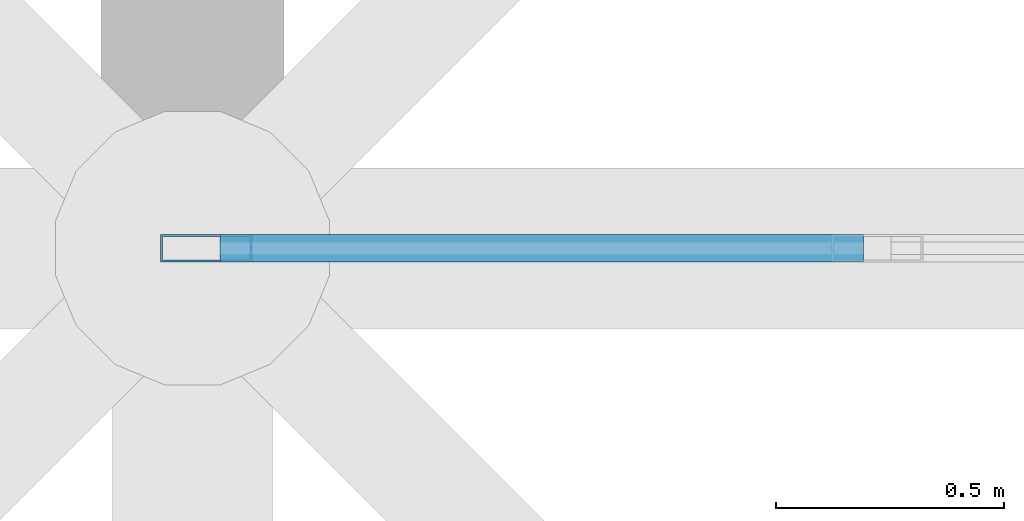
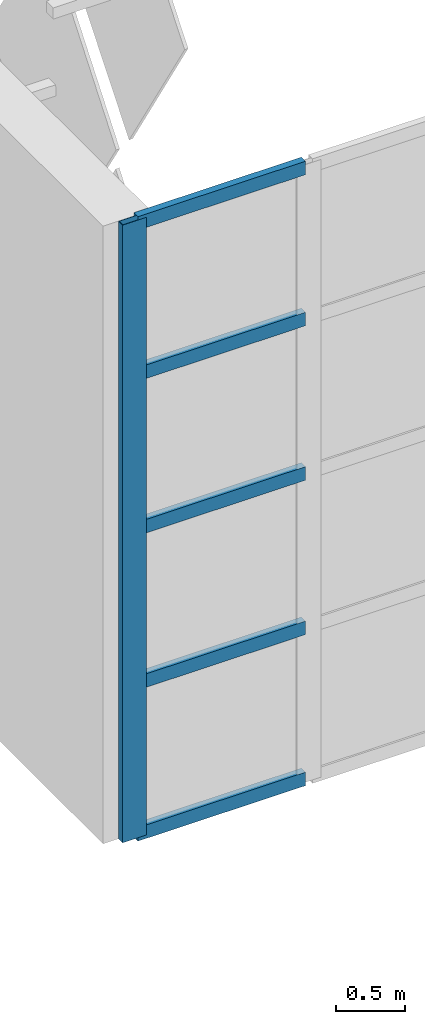
# One storey, part 153 of 437: 6 members, 1 element without a shape of its own.
"""IFC4 building model written with IfcOpenShell, lengths in metres."""

import ifcopenshell
import ifcopenshell.guid

model = None  # the IFC model being written
_history = None  # IfcOwnerHistory: only IFC2X3 demands one
_inside = {}  # id of a spatial element -> (the spatial element, [elements in it])
_under = {}  # id of a project, library or spatial element -> (it, [spatial elements below it])
_declared = {}  # id of a project -> (the project, [libraries it declares])
_typed = {}  # id of a type object -> (the type object, [elements of that type])
_made_of = {}  # id of a material, layer set ... -> (it, [elements and type objects made of it])


def new_model(schema):
    """Start an empty IFC model of exactly this schema.

    Asked for "IFC4X3", IfcOpenShell would pick the latest addendum, in which some entities
    have other attributes; the version numbers below select the first issue.
    IFC2X3 requires an IfcOwnerHistory on every rooted entity: one is made here for all.
    """
    global model, _history
    if schema == "IFC4X3":
        model = ifcopenshell.file(schema_version=(4, 3, 0, 0))
    else:
        model = ifcopenshell.file(schema=schema)
    _inside.clear()
    _under.clear()
    _declared.clear()
    _typed.clear()
    _made_of.clear()
    _history = None
    if model.schema == "IFC2X3":
        org = make("IfcOrganization", Name="unknown")
        user = make(
            "IfcPersonAndOrganization",
            ThePerson=make("IfcPerson", FamilyName="unknown"),
            TheOrganization=org,
        )
        app = make(
            "IfcApplication",
            ApplicationDeveloper=org,
            Version="unknown",
            ApplicationFullName="unknown",
            ApplicationIdentifier="unknown",
        )
        _history = make(
            "IfcOwnerHistory",
            OwningUser=user,
            OwningApplication=app,
            ChangeAction="ADDED",
            CreationDate=0,
        )
    return model


def make(cls, **values):
    """One entity of the class cls with the attributes given. An attribute that is None is left unset."""
    return model.create_entity(
        cls, **{name: value for name, value in values.items() if value is not None}
    )


def rooted(cls, **values):
    """An entity with a GlobalId (a new one), such as an element, a storey or a relation."""
    return make(cls, GlobalId=ifcopenshell.guid.new(), OwnerHistory=_history, **values)


def si_unit(unit_type, name, prefix=None):
    """IfcSIUnit, for example si_unit("LENGTHUNIT", "METRE", prefix="MILLI")."""
    return make("IfcSIUnit", UnitType=unit_type, Prefix=prefix, Name=name)


def assignment(units):
    """IfcUnitAssignment: the units of a project."""
    return None if units is None else make("IfcUnitAssignment", Units=units)


def point(xyz):
    """IfcCartesianPoint."""
    return None if xyz is None else make("IfcCartesianPoint", Coordinates=xyz)


def direction(xyz):
    """IfcDirection."""
    return None if xyz is None else make("IfcDirection", DirectionRatios=xyz)


def frame(location, z_axis=None, x_axis=None):
    """IfcAxis2Placement3D, a coordinate frame: its origin and axes. An axis left out is left unset."""
    return make(
        "IfcAxis2Placement3D",
        Location=point(location),
        Axis=direction(z_axis),
        RefDirection=direction(x_axis),
    )


def frame_2d(location, x_axis=None):
    """IfcAxis2Placement2D, a coordinate frame in the plane: its origin and x axis."""
    return make(
        "IfcAxis2Placement2D", Location=point(location), RefDirection=direction(x_axis)
    )


def origin():
    """The frame at (0, 0, 0) with its axes left unset."""
    return frame((0.0, 0.0, 0.0))


def origin_2d():
    """The frame at (0, 0) in the plane with its x axis left unset."""
    return frame_2d((0.0, 0.0))


def place(relative_to, where):
    """IfcLocalPlacement: puts the frame where relative to a parent placement (None: the world)."""
    return make(
        "IfcLocalPlacement", PlacementRelTo=relative_to, RelativePlacement=where
    )


def context(
    kind, dimensions, precision=None, world=None, true_north=None, identifier=None
):
    """IfcGeometricRepresentationContext, for example the 3D "Model" context."""
    return make(
        "IfcGeometricRepresentationContext",
        ContextIdentifier=identifier,
        ContextType=kind,
        CoordinateSpaceDimension=dimensions,
        Precision=precision,
        WorldCoordinateSystem=world,
        TrueNorth=true_north,
    )


def subcontext(parent, identifier, kind, view, scale=None):
    """IfcGeometricRepresentationSubContext, for example "Body" below "Model"."""
    return make(
        "IfcGeometricRepresentationSubContext",
        ContextIdentifier=identifier,
        ContextType=kind,
        ParentContext=parent,
        TargetScale=scale,
        TargetView=view,
    )


def project(units=None, contexts=None):
    """IfcProject with its units and contexts."""
    return rooted(
        "IfcProject",
        Name="project",
        RepresentationContexts=contexts,
        UnitsInContext=assignment(units),
    )


def spatial(cls, under=None, at=None, **own):
    """A site, building, storey or space (cls), placed at a placement, below another one or the project."""
    s = rooted(cls, ObjectPlacement=at, **own)
    if under is not None:
        _under.setdefault(under.id(), (under, []))[1].append(s)
    return s


def profile(cls, at=None, kind="AREA", **sizes):
    """A parametric profile (cls). Its sizes go by their IFC names, for example OverallWidth=200.0."""
    return make(cls, ProfileType=kind, Position=at, **sizes)


def hollow_rectangle(**sizes):
    """IfcRectangleHollowProfileDef."""
    return profile("IfcRectangleHollowProfileDef", **sizes)


def extrude(swept, where, along, depth):
    """IfcExtrudedAreaSolid: the profile swept, set in the frame where, extruded along a direction by depth."""
    return make(
        "IfcExtrudedAreaSolid",
        SweptArea=swept,
        Position=where,
        ExtrudedDirection=direction(along),
        Depth=depth,
    )


def shape(context_of_items, identifier, shape_type, items):
    """IfcShapeRepresentation: the items that make up one representation, for example the "Body"."""
    return make(
        "IfcShapeRepresentation",
        ContextOfItems=context_of_items,
        RepresentationIdentifier=identifier,
        RepresentationType=shape_type,
        Items=items,
    )


def material(Name=None, Category=None):
    """IfcMaterial."""
    return make("IfcMaterial", Name=Name, Category=Category)


def layer(
    of_material, thickness, ventilated=None, Name=None, Category=None, Priority=None
):
    """IfcMaterialLayer: one layer of a wall or slab, of a material (None: an air gap)."""
    return make(
        "IfcMaterialLayer",
        Material=of_material,
        LayerThickness=thickness,
        IsVentilated=ventilated,
        Name=Name,
        Category=Category,
        Priority=Priority,
    )


def layer_set(layers, Name=None):
    """IfcMaterialLayerSet."""
    return make("IfcMaterialLayerSet", MaterialLayers=layers, LayerSetName=Name)


def material_profile(
    of_material, cross_section, Name=None, Category=None, Priority=None
):
    """IfcMaterialProfile: a cross section and its material."""
    return make(
        "IfcMaterialProfile",
        Name=Name,
        Material=of_material,
        Profile=cross_section,
        Priority=Priority,
        Category=Category,
    )


def profile_set(profiles, Name=None, composite=None):
    """IfcMaterialProfileSet."""
    return make(
        "IfcMaterialProfileSet",
        Name=Name,
        MaterialProfiles=profiles,
        CompositeProfile=composite,
    )


def made_of(thing, what):
    """Note that an element or type object is made of a material, layer set ...; save() writes the relation."""
    if what is not None:
        _made_of.setdefault(what.id(), (what, []))[1].append(thing)
    return thing


def type_object(cls, material=None, **own):
    """A type object (cls), such as IfcWallType, which elements share."""
    return made_of(rooted(cls, **own), material)


def element(
    cls,
    number,
    at=None,
    inside=None,
    cuts=None,
    type_object=None,
    material=None,
    context=None,
    identifier="Body",
    shape_type=None,
    held_by="IfcProductDefinitionShape",
    body=None,
    shapes=None,
    **own,
):
    """One element of the class cls, such as IfcWall. Its Tag is "e" and its number.

    at: its placement. inside: the storey or other place that contains it. cuts: it is an
    opening in that element (IfcRelVoidsElement). A single representation is given by context,
    identifier, shape_type and body (its items); several are given by shapes. held_by: the class
    of the entity that holds the representations. save() writes the other relations.
    """
    e = rooted(cls, Tag="e%d" % number, ObjectPlacement=at, **own)
    if body is not None:
        shapes = [shape(context, identifier, shape_type, body)]
    if shapes is not None:
        e.Representation = make(held_by, Representations=shapes)
    if inside is not None:
        _inside.setdefault(inside.id(), (inside, []))[1].append(e)
    if cuts is not None:
        rooted(
            "IfcRelVoidsElement", RelatingBuildingElement=cuts, RelatedOpeningElement=e
        )
    if type_object is not None:
        _typed.setdefault(type_object.id(), (type_object, []))[1].append(e)
    return made_of(e, material)


def aggregate(whole, parts):
    """IfcRelAggregates: a whole, such as a stair, and the parts it consists of."""
    return rooted("IfcRelAggregates", RelatingObject=whole, RelatedObjects=parts)


def save(model, path):
    """Write the relations noted so far, then the file.

    IfcRelAggregates (storeys below a building ...), IfcRelContainedInSpatialStructure (elements
    in a storey), IfcRelDefinesByType, IfcRelAssociatesMaterial and IfcRelDeclares: one each for
    every whole, place, type object, material and project.
    """
    for whole, parts in _under.values():
        aggregate(whole, parts)
    for where, things in _inside.values():
        rooted(
            "IfcRelContainedInSpatialStructure",
            RelatedElements=things,
            RelatingStructure=where,
        )
    for kind, things in _typed.values():
        rooted("IfcRelDefinesByType", RelatedObjects=things, RelatingType=kind)
    for what, things in _made_of.values():
        rooted("IfcRelAssociatesMaterial", RelatedObjects=things, RelatingMaterial=what)
    for by, libraries in _declared.values():
        rooted("IfcRelDeclares", RelatingContext=by, RelatedDefinitions=libraries)
    model.write(path)


model = new_model("IFC4")

# Units and contexts
model_context = context("Model", 3, precision=1e-05, world=origin(), true_north=direction((0.0, 1.0)))
body_context = subcontext(model_context, "Body", "Model", "MODEL_VIEW")
ifc_project = project(units=[si_unit("LENGTHUNIT", "METRE"), si_unit("AREAUNIT", "SQUARE_METRE"), si_unit("VOLUMEUNIT", "CUBIC_METRE"), si_unit("PLANEANGLEUNIT", "RADIAN"), si_unit("MASSUNIT", "GRAM", prefix="KILO")], contexts=[model_context])

# Site, building, storey
site_placement = place(None, origin())
site = spatial("IfcSite", under=ifc_project, at=site_placement, CompositionType="ELEMENT")
building_placement = place(site_placement, origin())
building = spatial("IfcBuilding", under=site, at=building_placement, Name="Opaline Strait Convention Centre", CompositionType="ELEMENT")
storey_placement = place(building_placement, frame((0.0, 0.0, 11.5)))
storey = spatial("IfcBuildingStorey", under=building, at=storey_placement, Name="L02", CompositionType="ELEMENT", Elevation=11.5)

# Curtain wall, members
ifc_material_1 = material(Name="Aluminium framed glazing", Category="aluminium")
ifc_layer = layer(ifc_material_1, 0.199951171875)
ifc_layer_set = layer_set([ifc_layer], Name="Aluminium framed glazing")
curtain_wall_type = type_object("IfcCurtainWallType", Name="Entrance curtain wall 1500", PredefinedType="NOTDEFINED", material=ifc_layer_set)
curtain_wall_placement = place(storey_placement, origin())
curtain_wall = element("IfcCurtainWall", 1, at=curtain_wall_placement, inside=storey, type_object=curtain_wall_type, Name="Entrance curtain wall L02-R1", PredefinedType="NOTDEFINED")
ifc_material_2 = material(Name="Aluminium alloy 6063", Category="aluminium")
ifc_material_profile_1 = material_profile(ifc_material_2, hollow_rectangle(XDim=0.06005859375, YDim=0.199951171875, WallThickness=0.00390625, at=origin_2d()), Name="MULLION 60x200x4")
ifc_profile_set_1 = profile_set([ifc_material_profile_1], Name="Aluminium alloy 6063")
member_type_1 = type_object("IfcMemberType", Name="Curtain wall mullion 60 x 200", PredefinedType="MULLION", material=ifc_profile_set_1)
member_1_placement = place(storey_placement, frame((153.030029296875, 144.0, 0.0), z_axis=(0.0, 0.0, 1.0), x_axis=(0.0, 1.0, 0.0)))
member_1 = element("IfcMember", 2, at=member_1_placement, type_object=member_type_1, Name="XCW mullion 1", PredefinedType="MULLION", context=body_context, shape_type="SweptSolid", body=[
    extrude(hollow_rectangle(XDim=0.06005859375, YDim=0.199951171875, WallThickness=0.00390625, at=origin_2d()), origin(), (0.0, 0.0, 1.0), 5.5),
])
ifc_material_profile_2 = material_profile(ifc_material_2, hollow_rectangle(XDim=0.06005859375, YDim=0.1201171875, WallThickness=0.0029296875, at=origin_2d()), Name="TRANSOM 60x120x3")
ifc_profile_set_2 = profile_set([ifc_material_profile_2], Name="Aluminium alloy 6063")
member_type_2 = type_object("IfcMemberType", Name="Curtain wall transom 60 x 120", PredefinedType="USERDEFINED", material=ifc_profile_set_2)
member_2_placement = place(storey_placement, frame((153.06005859375, 144.0, 0.030029296875), z_axis=(1.0, 0.0, 0.0), x_axis=(0.0, 1.0, 0.0)))
member_2 = element("IfcMember", 3, at=member_2_placement, type_object=member_type_2, Name="XCW transom 1.1", ObjectType="TRANSOM", PredefinedType="USERDEFINED", context=body_context, shape_type="SweptSolid", body=[
    extrude(hollow_rectangle(XDim=0.06005859375, YDim=0.1201171875, WallThickness=0.0029296875, at=origin_2d()), origin(), (0.0, 0.0, 1.0), 1.409912109375),
])
member_3_placement = place(storey_placement, frame((153.06005859375, 144.0, 1.375), z_axis=(1.0, 0.0, 0.0), x_axis=(0.0, 1.0, 0.0)))
member_3 = element("IfcMember", 4, at=member_3_placement, type_object=member_type_2, Name="XCW transom 1.2", ObjectType="TRANSOM", PredefinedType="USERDEFINED", context=body_context, shape_type="SweptSolid", body=[
    extrude(hollow_rectangle(XDim=0.06005859375, YDim=0.1201171875, WallThickness=0.0029296875, at=origin_2d()), origin(), (0.0, 0.0, 1.0), 1.409912109375),
])
member_4_placement = place(storey_placement, frame((153.06005859375, 144.0, 2.75), z_axis=(1.0, 0.0, 0.0), x_axis=(0.0, 1.0, 0.0)))
member_4 = element("IfcMember", 5, at=member_4_placement, type_object=member_type_2, Name="XCW transom 1.3", ObjectType="TRANSOM", PredefinedType="USERDEFINED", context=body_context, shape_type="SweptSolid", body=[
    extrude(hollow_rectangle(XDim=0.06005859375, YDim=0.1201171875, WallThickness=0.0029296875, at=origin_2d()), origin(), (0.0, 0.0, 1.0), 1.409912109375),
])
member_5_placement = place(storey_placement, frame((153.06005859375, 144.0, 4.125), z_axis=(1.0, 0.0, 0.0), x_axis=(0.0, 1.0, 0.0)))
member_5 = element("IfcMember", 6, at=member_5_placement, type_object=member_type_2, Name="XCW transom 1.4", ObjectType="TRANSOM", PredefinedType="USERDEFINED", context=body_context, shape_type="SweptSolid", body=[
    extrude(hollow_rectangle(XDim=0.06005859375, YDim=0.1201171875, WallThickness=0.0029296875, at=origin_2d()), origin(), (0.0, 0.0, 1.0), 1.409912109375),
])
member_6_placement = place(storey_placement, frame((153.06005859375, 144.0, 5.469970703125), z_axis=(1.0, 0.0, 0.0), x_axis=(0.0, 1.0, 0.0)))
member_6 = element("IfcMember", 7, at=member_6_placement, type_object=member_type_2, Name="XCW transom 1.5", ObjectType="TRANSOM", PredefinedType="USERDEFINED", context=body_context, shape_type="SweptSolid", body=[
    extrude(hollow_rectangle(XDim=0.06005859375, YDim=0.1201171875, WallThickness=0.0029296875, at=origin_2d()), origin(), (0.0, 0.0, 1.0), 1.409912109375),
])
aggregate(curtain_wall, [member_1, member_2, member_3, member_4, member_5, member_6])

save(model, "model.ifc")
